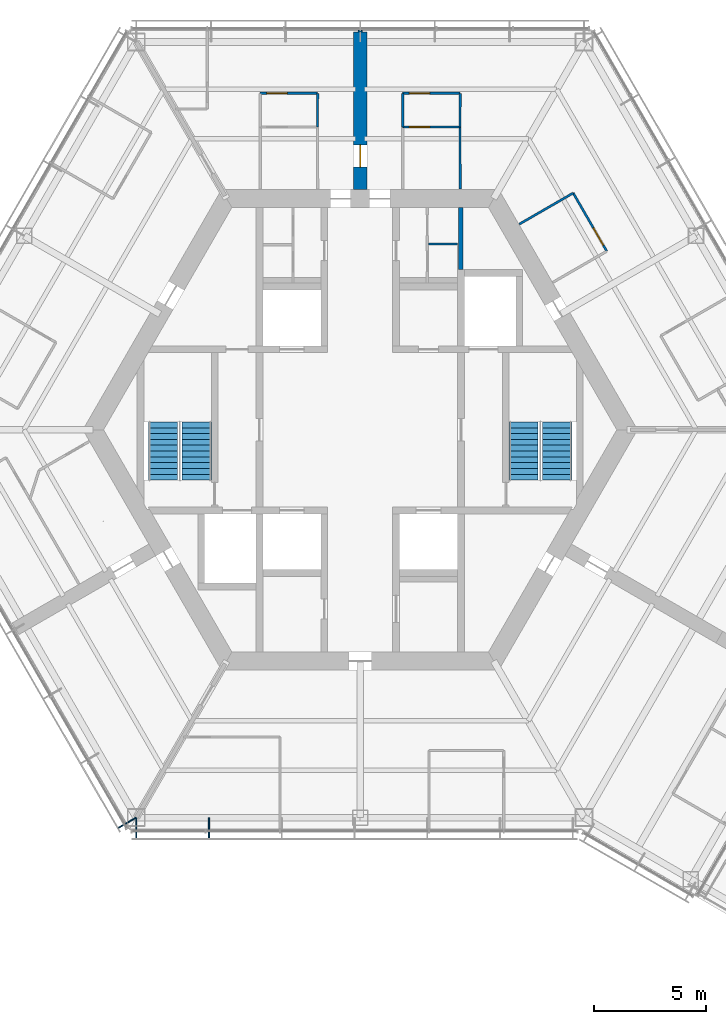
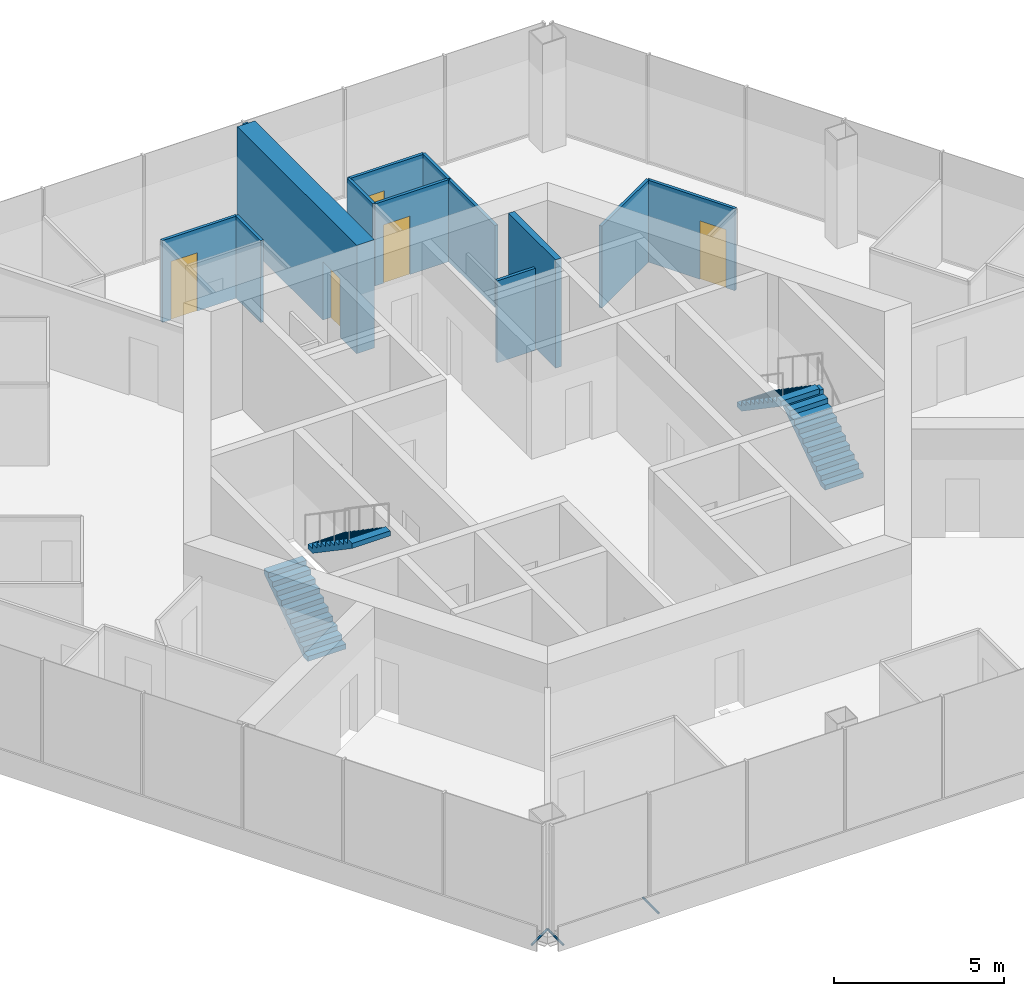
# One storey, part 10 of 13: 13 walls, 5 doors, 4 stair flights, 3 discrete accessories, 5 openings, 2 elements without a shape of their own.
"""IFC4 building model written with IfcOpenShell, lengths in metres."""

from ifc_helpers import new_model, si_unit, direction, frame, frame_2d, origin, origin_2d, place, context, subcontext, project, spatial, polyline, rectangle, hollow_circle, outline, extrude, material, layer, layer_set, material_profile, profile_set, type_object, element, fill, aggregate, save


model = new_model("IFC4")

# Units and contexts
model_context = context("Model", 3, precision=1e-05, world=origin(), true_north=direction((0.0, 1.0)))
body_context = subcontext(model_context, "Body", "Model", "MODEL_VIEW")
ifc_project = project(units=[si_unit("LENGTHUNIT", "METRE"), si_unit("AREAUNIT", "SQUARE_METRE"), si_unit("VOLUMEUNIT", "CUBIC_METRE"), si_unit("PLANEANGLEUNIT", "RADIAN"), si_unit("MASSUNIT", "GRAM", prefix="KILO")], contexts=[model_context])

# Site, building, storey
site_placement = place(None, origin())
site = spatial("IfcSite", under=ifc_project, at=site_placement, CompositionType="ELEMENT")
building_placement = place(site_placement, origin())
building = spatial("IfcBuilding", under=site, at=building_placement, Name="Kasaneha Research Tower", CompositionType="ELEMENT")
storey_placement = place(building_placement, frame((0.0, 0.0, 267.39990234375)))
storey = spatial("IfcBuildingStorey", under=building, at=storey_placement, Name="L67", CompositionType="ELEMENT", Elevation=267.39990234375)

# Wall
ifc_material_1 = material(Name="Gypsum board on steel studs, one layer each side", Category="steel")
ifc_layer_1 = layer(ifc_material_1, 0.10009765625)
ifc_layer_set_1 = layer_set([ifc_layer_1], Name="Office partition 100")
wall_type_1 = type_object("IfcWallType", Name="Office partition 100", PredefinedType="PARTITIONING", material=ifc_layer_set_1)
wall_1_placement = place(storey_placement, frame((3.050048828125, 8.300048828125, 0.0), z_axis=(0.0, 0.0, 1.0), x_axis=(1.0, 0.0, 0.0)))
element("IfcWall", 1, at=wall_1_placement, inside=storey, type_object=wall_type_1, Name="Office partition TBF2 L67", PredefinedType="PARTITIONING", context=body_context, shape_type="SweptSolid", body=[
    extrude(rectangle(XDim=1.300048828125, YDim=0.10009765625, at=frame_2d((0.64990234375, 0.0))), origin(), (0.0, 0.0, 1.0), 2.9501953125),
])

# Wall, opening, door
wall_2_placement = place(storey_placement, frame((1.89990234375, 13.52001953125, 0.0), z_axis=(0.0, 0.0, 1.0), x_axis=(1.0, 0.0, 0.0)))
wall_2 = element("IfcWall", 2, at=wall_2_placement, inside=storey, type_object=wall_type_1, Name="Office partition FAE01 L67", PredefinedType="PARTITIONING", context=body_context, shape_type="SweptSolid", body=[
    extrude(rectangle(XDim=2.565185546875, YDim=0.10009765625, at=frame_2d((1.28271484375, 0.0))), origin(), (0.0, 0.0, 1.0), 2.9501953125),
])
opening_1_placement = place(wall_2_placement, frame((0.300048828125, 0.0, 0.0)))
opening_1 = element("IfcOpeningElement", 3, at=opening_1_placement, cuts=wall_2, Name="Opening L67-D28", PredefinedType="OPENING", context=body_context, shape_type="SweptSolid", body=[
    extrude(rectangle(XDim=0.89990234375, YDim=2.10009765625, at=frame_2d((0.449951171875, 1.050048828125))), frame((0.0, 0.06005859375, 0.0), z_axis=(0.0, -1.0, 0.0), x_axis=(1.0, 0.0, 0.0)), (0.0, 0.0, 1.0), 0.1201171875),
])
ifc_material_2 = material(Name="Steel", Category="steel")
door_type_1 = type_object("IfcDoorType", Name="Toilet lobby door FD30 900x2100", OperationType="NOTDEFINED", PredefinedType="DOOR", material=ifc_material_2)
door_1_placement = place(opening_1_placement, origin())
door_1 = element("IfcDoor", 4, at=door_1_placement, inside=storey, type_object=door_type_1, Name="Women's WC door L67-D28", OperationType="SINGLE_SWING_LEFT", OverallHeight=2.10009765625, OverallWidth=0.89990234375, PredefinedType="DOOR", context=body_context, shape_type="SweptSolid", body=[
    extrude(rectangle(XDim=0.89990234375, YDim=2.10009765625, at=frame_2d((0.449951171875, 1.050048828125))), frame((0.0, 0.02490234375, 0.0), z_axis=(0.0, -1.0, 0.0), x_axis=(1.0, 0.0, 0.0)), (0.0, 0.0, 1.0), 0.050048828125),
])
fill(opening_1, door_1)

# Wall
wall_3_placement = place(storey_placement, frame((4.460205078125, 13.52490234375, 0.0), z_axis=(0.0, 0.0, 1.0), x_axis=(0.001756540413, -0.999998457282, 0.0)))
element("IfcWall", 5, at=wall_3_placement, inside=storey, type_object=wall_type_1, Name="Office partition FAE03 L67", PredefinedType="PARTITIONING", context=body_context, shape_type="SweptSolid", body=[
    extrude(rectangle(XDim=2.77978515625, YDim=0.10009765625, at=frame_2d((1.389892578125, 0.0))), origin(), (0.0, 0.0, 1.0), 2.9501953125),
])

# Wall, opening, door
wall_4_placement = place(storey_placement, frame((1.89990234375, 15.02490234375, 0.0), z_axis=(0.0, 0.0, 1.0), x_axis=(1.0, 0.0, 0.0)))
wall_4 = element("IfcWall", 6, at=wall_4_placement, inside=storey, type_object=wall_type_1, Name="Office partition FAE04 L67", PredefinedType="PARTITIONING", context=body_context, shape_type="SweptSolid", body=[
    extrude(rectangle(XDim=2.565185546875, YDim=0.10009765625, at=frame_2d((1.28271484375, 0.0))), origin(), (0.0, 0.0, 1.0), 2.9501953125),
])
opening_2_placement = place(wall_4_placement, frame((0.300048828125, 0.0, 0.0)))
opening_2 = element("IfcOpeningElement", 7, at=opening_2_placement, cuts=wall_4, Name="Opening L67-D29", PredefinedType="OPENING", context=body_context, shape_type="SweptSolid", body=[
    extrude(rectangle(XDim=0.89990234375, YDim=2.10009765625, at=frame_2d((0.449951171875, 1.050048828125))), frame((0.0, 0.06005859375, 0.0), z_axis=(0.0, -1.0, 0.0), x_axis=(1.0, 0.0, 0.0)), (0.0, 0.0, 1.0), 0.1201171875),
])
door_2_placement = place(opening_2_placement, origin())
door_2 = element("IfcDoor", 8, at=door_2_placement, inside=storey, type_object=door_type_1, Name="Toilet lobby door L67-D29", OperationType="SINGLE_SWING_LEFT", OverallHeight=2.10009765625, OverallWidth=0.89990234375, PredefinedType="DOOR", context=body_context, shape_type="SweptSolid", body=[
    extrude(rectangle(XDim=0.89990234375, YDim=2.10009765625, at=frame_2d((0.449951171875, 1.050048828125))), frame((0.0, 0.02490234375, 0.0), z_axis=(0.0, -1.0, 0.0), x_axis=(1.0, 0.0, 0.0)), (0.0, 0.0, 1.0), 0.050048828125),
])
fill(opening_2, door_2)

# Walls
for number, where, z_axis, x_axis, name in (
    (9, (1.904541015625, 13.52490234375, 0.0), (0.0, 0.0, 1.0), (-0.00309243313, 0.999995218417, 0.0), "Office partition FAE05 L67"),
    (10, (4.465087890625, 15.02490234375, 0.0), (0.0, 0.0, 1.0), (-0.003255191087, -0.999994701851, 0.0), "Office partition FAE06 L67"),
):
    element("IfcWall", number, at=place(storey_placement, frame(where, z_axis=z_axis, x_axis=x_axis)), inside=storey, type_object=wall_type_1, Name=name, PredefinedType="PARTITIONING", context=body_context, shape_type="SweptSolid", body=[
        extrude(rectangle(XDim=1.5, YDim=0.10009765625, at=frame_2d((0.75, 0.0))), origin(), (0.0, 0.0, 1.0), 2.9501953125),
    ])
wall_5_placement = place(storey_placement, frame((7.10546875, 9.18310546875, 0.0), z_axis=(0.0, 0.0, 1.0), x_axis=(0.86603494908, 0.499983466698, 0.0)))
element("IfcWall", 11, at=wall_5_placement, inside=storey, type_object=wall_type_1, Name="Office partition FAE07 L67", PredefinedType="PARTITIONING", context=body_context, shape_type="SweptSolid", body=[
    extrude(rectangle(XDim=2.77978515625, YDim=0.10009765625, at=frame_2d((1.389892578125, 0.0))), origin(), (0.0, 0.0, 1.0), 2.9501953125),
])

# Wall, opening, door
wall_6_placement = place(storey_placement, frame((9.512939453125, 10.572998046875, 0.0), z_axis=(0.0, 0.0, 1.0), x_axis=(0.499990139034, -0.866031096941, 0.0)))
wall_6 = element("IfcWall", 12, at=wall_6_placement, inside=storey, type_object=wall_type_1, Name="Office partition FAE08 L67", PredefinedType="PARTITIONING", context=body_context, shape_type="SweptSolid", body=[
    extrude(rectangle(XDim=3.0, YDim=0.10009765625, at=frame_2d((1.5, 0.0))), origin(), (0.0, 0.0, 1.0), 2.9501953125),
])
opening_3_placement = place(wall_6_placement, frame((1.800048828125, 0.0, 0.0)))
opening_3 = element("IfcOpeningElement", 13, at=opening_3_placement, cuts=wall_6, Name="Opening L67-D30", PredefinedType="OPENING", context=body_context, shape_type="SweptSolid", body=[
    extrude(rectangle(XDim=0.89990234375, YDim=2.10009765625, at=frame_2d((0.449951171875, 1.050048828125))), frame((0.0, 0.06005859375, 0.0), z_axis=(0.0, -1.0, 0.0), x_axis=(1.0, 0.0, 0.0)), (0.0, 0.0, 1.0), 0.1201171875),
])
ifc_material_3 = material(Name="Timber veneer", Category="wood")
door_type_2 = type_object("IfcDoorType", Name="Office door 900x2100", OperationType="SINGLE_SWING_LEFT", PredefinedType="DOOR", material=ifc_material_3)
door_3_placement = place(opening_3_placement, origin())
door_3 = element("IfcDoor", 14, at=door_3_placement, inside=storey, type_object=door_type_2, Name="Pantry door L67-D30", OperationType="SINGLE_SWING_RIGHT", OverallHeight=2.10009765625, OverallWidth=0.89990234375, PredefinedType="DOOR", context=body_context, shape_type="SweptSolid", body=[
    extrude(rectangle(XDim=0.89990234375, YDim=2.10009765625, at=frame_2d((0.449951171875, 1.050048828125))), frame((0.0, 0.02490234375, 0.0), z_axis=(0.0, -1.0, 0.0), x_axis=(1.0, 0.0, 0.0)), (0.0, 0.0, 1.0), 0.050048828125),
])
fill(opening_3, door_3)

wall_7_placement = place(storey_placement, frame((-4.465087890625, 15.02490234375, 0.0), z_axis=(0.0, 0.0, 1.0), x_axis=(1.0, 0.0, 0.0)))
wall_7 = element("IfcWall", 15, at=wall_7_placement, inside=storey, type_object=wall_type_1, Name="Office partition FAW04 L67", PredefinedType="PARTITIONING", context=body_context, shape_type="SweptSolid", body=[
    extrude(rectangle(XDim=2.565185546875, YDim=0.10009765625, at=frame_2d((1.28271484375, 0.0))), origin(), (0.0, 0.0, 1.0), 2.9501953125),
])
opening_4_placement = place(wall_7_placement, frame((0.300048828125, 0.0, 0.0)))
opening_4 = element("IfcOpeningElement", 16, at=opening_4_placement, cuts=wall_7, Name="Opening L67-D34", PredefinedType="OPENING", context=body_context, shape_type="SweptSolid", body=[
    extrude(rectangle(XDim=0.89990234375, YDim=2.10009765625, at=frame_2d((0.449951171875, 1.050048828125))), frame((0.0, 0.06005859375, 0.0), z_axis=(0.0, -1.0, 0.0), x_axis=(1.0, 0.0, 0.0)), (0.0, 0.0, 1.0), 0.1201171875),
])
door_4_placement = place(opening_4_placement, origin())
door_4 = element("IfcDoor", 17, at=door_4_placement, inside=storey, type_object=door_type_1, Name="Toilet lobby door L67-D34", OperationType="SINGLE_SWING_LEFT", OverallHeight=2.10009765625, OverallWidth=0.89990234375, PredefinedType="DOOR", context=body_context, shape_type="SweptSolid", body=[
    extrude(rectangle(XDim=0.89990234375, YDim=2.10009765625, at=frame_2d((0.449951171875, 1.050048828125))), frame((0.0, 0.02490234375, 0.0), z_axis=(0.0, -1.0, 0.0), x_axis=(1.0, 0.0, 0.0)), (0.0, 0.0, 1.0), 0.050048828125),
])
fill(opening_4, door_4)

# Walls
wall_8_placement = place(storey_placement, frame((-1.89990234375, 15.02490234375, 0.0), z_axis=(0.0, 0.0, 1.0), x_axis=(-0.003255191087, -0.999994701851, 0.0)))
element("IfcWall", 18, at=wall_8_placement, inside=storey, type_object=wall_type_1, Name="Office partition FAW06 L67", PredefinedType="PARTITIONING", context=body_context, shape_type="SweptSolid", body=[
    extrude(rectangle(XDim=1.5, YDim=0.10009765625, at=frame_2d((0.75, 0.0))), origin(), (0.0, 0.0, 1.0), 2.9501953125),
])
ifc_material_4 = material(Name="Concrete block", Category="concrete")
ifc_layer_2 = layer(ifc_material_4, 0.199951171875)
ifc_layer_set_2 = layer_set([ifc_layer_2], Name="Riser enclosure wall 200")
wall_type_2 = type_object("IfcWallType", Name="Riser enclosure wall 200", PredefinedType="STANDARD", material=ifc_layer_set_2)
wall_9_placement = place(storey_placement, frame((4.5, 7.14990234375, 0.0), z_axis=(0.0, 0.0, 1.0), x_axis=(0.0, 1.0, 0.0)))
element("IfcWall", 19, at=wall_9_placement, inside=storey, type_object=wall_type_2, Name="Riser enclosure wall L67", PredefinedType="STANDARD", context=body_context, shape_type="SweptSolid", body=[
    extrude(rectangle(XDim=2.775146484375, YDim=0.199951171875, at=frame_2d((1.3876953125, 0.0))), origin(), (0.0, 0.0, 1.0), 3.900146484375),
])

# Wall, opening, door
ifc_material_5 = material(Name="Concrete Fc60", Category="concrete")
ifc_layer_3 = layer(ifc_material_5, 0.60009765625)
ifc_layer_set_3 = layer_set([ifc_layer_3], Name="Spine wall 600 Fc60")
wall_type_3 = type_object("IfcWallType", Name="Spine wall 600 Fc60", PredefinedType="SHEAR", material=ifc_layer_set_3)
wall_10_placement = place(storey_placement, frame((0.0, 10.72509765625, 0.0), z_axis=(0.0, 0.0, 1.0), x_axis=(0.0, 1.0, 0.0)))
wall_10 = element("IfcWall", 20, at=wall_10_placement, inside=storey, type_object=wall_type_3, Name="Spine wall A L67", PredefinedType="SHEAR", context=body_context, shape_type="SweptSolid", body=[
    extrude(rectangle(XDim=7.04541015625, YDim=0.60009765625, at=frame_2d((3.522705078125, 0.0))), origin(), (0.0, 0.0, 1.0), 3.900146484375),
])
opening_5_placement = place(wall_10_placement, frame((1.0, 0.0, 0.0)))
opening_5 = element("IfcOpeningElement", 21, at=opening_5_placement, cuts=wall_10, Name="Opening L67-D18", PredefinedType="OPENING", context=body_context, shape_type="SweptSolid", body=[
    extrude(rectangle(XDim=1.0, YDim=2.10009765625, at=frame_2d((0.5, 1.050048828125))), frame((0.0, 0.31005859375, 0.0), z_axis=(0.0, -1.0, 0.0), x_axis=(1.0, 0.0, 0.0)), (0.0, 0.0, 1.0), 0.6201171875),
])
ifc_material_6 = material(Name="Steel", Category="steel")
door_type_3 = type_object("IfcDoorType", Name="Specified fire door FD60 1000x2100", OperationType="NOTDEFINED", PredefinedType="DOOR", material=ifc_material_6)
door_5_placement = place(opening_5_placement, origin())
door_5 = element("IfcDoor", 22, at=door_5_placement, inside=storey, type_object=door_type_3, Name="Spine doorway A L67-D18", OperationType="SINGLE_SWING_LEFT", OverallHeight=2.10009765625, OverallWidth=1.0, PredefinedType="DOOR", context=body_context, shape_type="SweptSolid", body=[
    extrude(rectangle(XDim=1.0, YDim=2.10009765625, at=frame_2d((0.5, 1.050048828125))), frame((0.0, 0.02490234375, 0.0), z_axis=(0.0, -1.0, 0.0), x_axis=(1.0, 0.0, 0.0)), (0.0, 0.0, 1.0), 0.050048828125),
])
fill(opening_5, door_5)

# Wall
ifc_material_7 = material(Name="Gypsum board on steel studs, two layers each side", Category="steel")
ifc_layer_4 = layer(ifc_material_7, 0.175048828125)
ifc_layer_set_4 = layer_set([ifc_layer_4], Name="Tenancy fire partition 175")
wall_type_4 = type_object("IfcWallType", Name="Tenancy fire partition 175", PredefinedType="PARTITIONING", material=ifc_layer_set_4)
wall_11_placement = place(storey_placement, frame((0.0, 17.7705078125, 0.0), z_axis=(0.0, 0.0, 1.0), x_axis=(0.0, 1.0, 0.0)))
element("IfcWall", 23, at=wall_11_placement, inside=storey, type_object=wall_type_4, Name="Spine wall closer SW4-600 L67", PredefinedType="PARTITIONING", context=body_context, shape_type="SweptSolid", body=[
    extrude(rectangle(XDim=0.06494140625, YDim=0.175048828125, at=frame_2d((0.032470703125, 0.0))), origin(), (0.0, 0.0, 1.0), 3.900146484375),
])

# Stair, stair flights
ifc_material_8 = material(Name="Concrete Fc24", Category="concrete")
stair_type = type_object("IfcStairType", Name="Half-turn stair 22 risers", PredefinedType="HALF_TURN_STAIR", material=ifc_material_8)
stair_1_placement = place(storey_placement, origin())
stair_1 = element("IfcStair", 24, at=stair_1_placement, inside=storey, type_object=stair_type, Name="Stair 1 L67", PredefinedType="HALF_TURN_STAIR")
ifc_material_9 = material(Name="Concrete Fc24", Category="concrete")
stair_flight_type = type_object("IfcStairFlightType", Name="Stair flight 11 risers 177.3", PredefinedType="STRAIGHT", material=ifc_material_9)
stair_flight_1_placement = place(storey_placement, frame((8.800048828125, -2.25, 0.0), z_axis=(0.0, 0.0, 1.0), x_axis=(0.0, 1.0, 0.0)))
stair_flight_1 = element("IfcStairFlight", 25, at=stair_flight_1_placement, type_object=stair_flight_type, Name="ST1-22R flight 1", NumberOfRisers=11, NumberOfTreads=10, PredefinedType="STRAIGHT", RiserHeight=0.177272727, TreadLength=0.26, context=body_context, shape_type="SweptSolid", body=[
    extrude(outline(polyline([(0.0, 0.0), (0.0, 0.17724609375), (0.260009765625, 0.17724609375), (0.260009765625, 0.3544921875), (0.52001953125, 0.3544921875), (0.52001953125, 0.53173828125), (0.780029296875, 0.53173828125), (0.780029296875, 0.708984375), (1.0400390625, 0.708984375), (1.0400390625, 0.886474609375), (1.300048828125, 0.886474609375), (1.300048828125, 1.063720703125), (1.56005859375, 1.063720703125), (1.56005859375, 1.240966796875), (1.820068359375, 1.240966796875), (1.820068359375, 1.418212890625), (2.080078125, 1.418212890625), (2.080078125, 1.595458984375), (2.340087890625, 1.595458984375), (2.340087890625, 1.772705078125), (2.60009765625, 1.772705078125), (2.60009765625, 1.949951171875), (2.60009765625, 1.59130859375), (0.26611328125, 0.0), (0.0, 0.0)])), frame((0.0, 0.64990234375, 0.0), z_axis=(0.0, -1.0, 0.0), x_axis=(1.0, 0.0, 0.0)), (0.0, 0.0, 1.0), 1.300048828125),
])
stair_flight_2_placement = place(storey_placement, frame((7.300048828125, 0.35009765625, 1.9501953125), z_axis=(0.0, 0.0, 1.0), x_axis=(0.0, -1.0, 0.0)))
stair_flight_2 = element("IfcStairFlight", 26, at=stair_flight_2_placement, type_object=stair_flight_type, Name="ST1-22R flight 2", NumberOfRisers=11, NumberOfTreads=10, PredefinedType="STRAIGHT", RiserHeight=0.177272727, TreadLength=0.26, context=body_context, shape_type="SweptSolid", body=[
    extrude(outline(polyline([(0.0, 0.0), (0.0, 0.17724609375), (0.260009765625, 0.17724609375), (0.260009765625, 0.3544921875), (0.52001953125, 0.3544921875), (0.52001953125, 0.53173828125), (0.780029296875, 0.53173828125), (0.780029296875, 0.708984375), (1.0400390625, 0.708984375), (1.0400390625, 0.886474609375), (1.300048828125, 0.886474609375), (1.300048828125, 1.063720703125), (1.56005859375, 1.063720703125), (1.56005859375, 1.240966796875), (1.820068359375, 1.240966796875), (1.820068359375, 1.418212890625), (2.080078125, 1.418212890625), (2.080078125, 1.595458984375), (2.340087890625, 1.595458984375), (2.340087890625, 1.772705078125), (2.60009765625, 1.772705078125), (2.60009765625, 1.949951171875), (2.60009765625, 1.59130859375), (0.26611328125, 0.0), (0.0, 0.0)])), frame((0.0, 0.64990234375, 0.0), z_axis=(0.0, -1.0, 0.0), x_axis=(1.0, 0.0, 0.0)), (0.0, 0.0, 1.0), 1.300048828125),
])
aggregate(stair_1, [stair_flight_1, stair_flight_2])

stair_2_placement = place(storey_placement, origin())
stair_2 = element("IfcStair", 27, at=stair_2_placement, inside=storey, type_object=stair_type, Name="Stair 2 L67", PredefinedType="HALF_TURN_STAIR")
stair_flight_3_placement = place(storey_placement, frame((-8.800048828125, -2.25, 0.0), z_axis=(0.0, 0.0, 1.0), x_axis=(0.0, 1.0, 0.0)))
stair_flight_3 = element("IfcStairFlight", 28, at=stair_flight_3_placement, type_object=stair_flight_type, Name="ST2-22R flight 1", NumberOfRisers=11, NumberOfTreads=10, PredefinedType="STRAIGHT", RiserHeight=0.177272727, TreadLength=0.26, context=body_context, shape_type="SweptSolid", body=[
    extrude(outline(polyline([(0.0, 0.0), (0.0, 0.17724609375), (0.260009765625, 0.17724609375), (0.260009765625, 0.3544921875), (0.52001953125, 0.3544921875), (0.52001953125, 0.53173828125), (0.780029296875, 0.53173828125), (0.780029296875, 0.708984375), (1.0400390625, 0.708984375), (1.0400390625, 0.886474609375), (1.300048828125, 0.886474609375), (1.300048828125, 1.063720703125), (1.56005859375, 1.063720703125), (1.56005859375, 1.240966796875), (1.820068359375, 1.240966796875), (1.820068359375, 1.418212890625), (2.080078125, 1.418212890625), (2.080078125, 1.595458984375), (2.340087890625, 1.595458984375), (2.340087890625, 1.772705078125), (2.60009765625, 1.772705078125), (2.60009765625, 1.949951171875), (2.60009765625, 1.59130859375), (0.26611328125, 0.0), (0.0, 0.0)])), frame((0.0, 0.64990234375, 0.0), z_axis=(0.0, -1.0, 0.0), x_axis=(1.0, 0.0, 0.0)), (0.0, 0.0, 1.0), 1.300048828125),
])
stair_flight_4_placement = place(storey_placement, frame((-7.300048828125, 0.35009765625, 1.9501953125), z_axis=(0.0, 0.0, 1.0), x_axis=(0.0, -1.0, 0.0)))
stair_flight_4 = element("IfcStairFlight", 29, at=stair_flight_4_placement, type_object=stair_flight_type, Name="ST2-22R flight 2", NumberOfRisers=11, NumberOfTreads=10, PredefinedType="STRAIGHT", RiserHeight=0.177272727, TreadLength=0.26, context=body_context, shape_type="SweptSolid", body=[
    extrude(outline(polyline([(0.0, 0.0), (0.0, 0.17724609375), (0.260009765625, 0.17724609375), (0.260009765625, 0.3544921875), (0.52001953125, 0.3544921875), (0.52001953125, 0.53173828125), (0.780029296875, 0.53173828125), (0.780029296875, 0.708984375), (1.0400390625, 0.708984375), (1.0400390625, 0.886474609375), (1.300048828125, 0.886474609375), (1.300048828125, 1.063720703125), (1.56005859375, 1.063720703125), (1.56005859375, 1.240966796875), (1.820068359375, 1.240966796875), (1.820068359375, 1.418212890625), (2.080078125, 1.418212890625), (2.080078125, 1.595458984375), (2.340087890625, 1.595458984375), (2.340087890625, 1.772705078125), (2.60009765625, 1.772705078125), (2.60009765625, 1.949951171875), (2.60009765625, 1.59130859375), (0.26611328125, 0.0), (0.0, 0.0)])), frame((0.0, 0.64990234375, 0.0), z_axis=(0.0, -1.0, 0.0), x_axis=(1.0, 0.0, 0.0)), (0.0, 0.0, 1.0), 1.300048828125),
])
aggregate(stair_2, [stair_flight_3, stair_flight_4])

# Discrete accessories
ifc_material_10 = material(Name="Steel STK400", Category="steel")
ifc_material_profile = material_profile(ifc_material_10, hollow_circle(Radius=0.0380859375, WallThickness=0.00390625, at=origin_2d()), Name="CHS-76.3x4.0")
ifc_profile_set = profile_set([ifc_material_profile], Name="Steel STK400")
discrete_accessory_type = type_object("IfcDiscreteAccessoryType", Name="Screen bracket CHS-76.3x4.0", PredefinedType="BRACKET", material=ifc_profile_set)
discrete_accessory_placement = place(storey_placement, frame((-10.001708984375, -17.3173828125, -0.2998046875), z_axis=(-0.866079547155, -0.499906209203, 0.0), x_axis=(0.499906209203, -0.866079547155, 0.0)))
element("IfcDiscreteAccessory", 30, at=discrete_accessory_placement, inside=storey, type_object=discrete_accessory_type, Name="Screen bracket 7", PredefinedType="BRACKET", context=body_context, shape_type="SweptSolid", body=[
    extrude(hollow_circle(Radius=0.0380859375, WallThickness=0.00390625, at=origin_2d()), origin(), (0.0, 0.0, 1.0), 0.920166015625),
])
for number, where, z_axis, x_axis, name in (
    (31, (-9.996337890625, -17.320556640625, -0.2998046875), (0.0, -1.0, 0.0), (1.0, 0.0, 0.0), "Screen bracket 1"),
    (32, (-6.748779296875, -17.320556640625, -0.2998046875), (0.0, -1.0, 0.0), (1.0, 0.0, 0.0), "Screen bracket 2"),
):
    element("IfcDiscreteAccessory", number, at=place(storey_placement, frame(where, z_axis=z_axis, x_axis=x_axis)), inside=storey, type_object=discrete_accessory_type, Name=name, PredefinedType="BRACKET", context=body_context, shape_type="SweptSolid", body=[
        extrude(hollow_circle(Radius=0.0380859375, WallThickness=0.00390625, at=origin_2d()), origin(), (0.0, 0.0, 1.0), 0.919921875),
    ])

save(model, "model.ifc")
